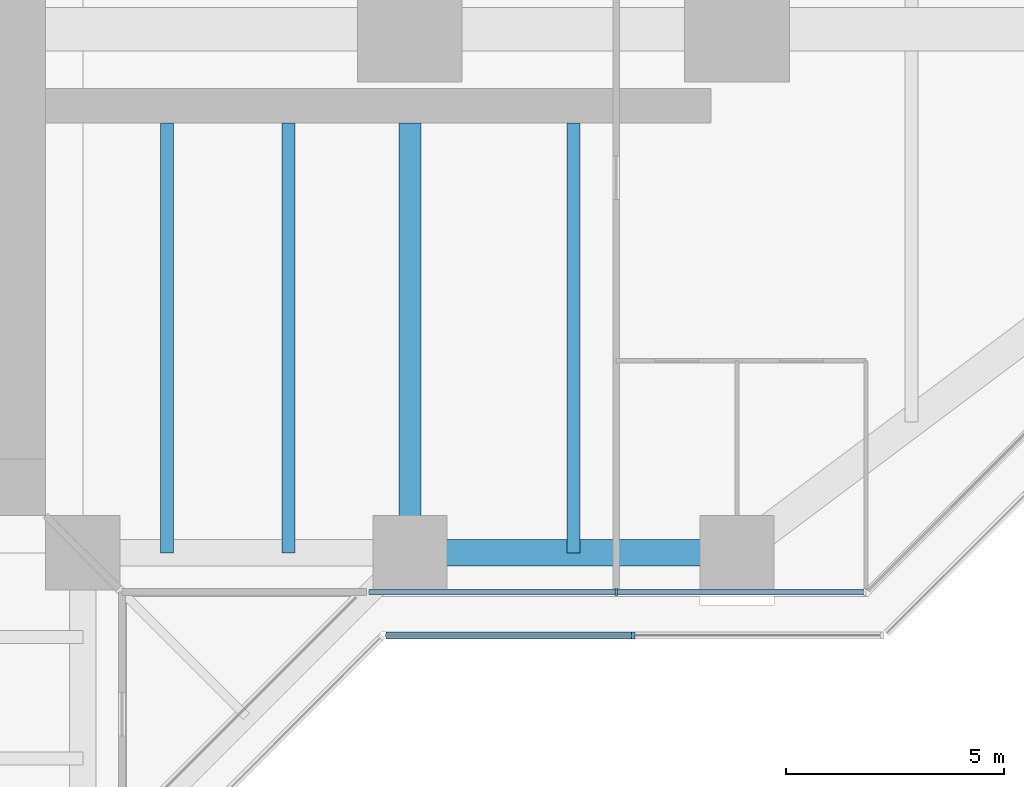
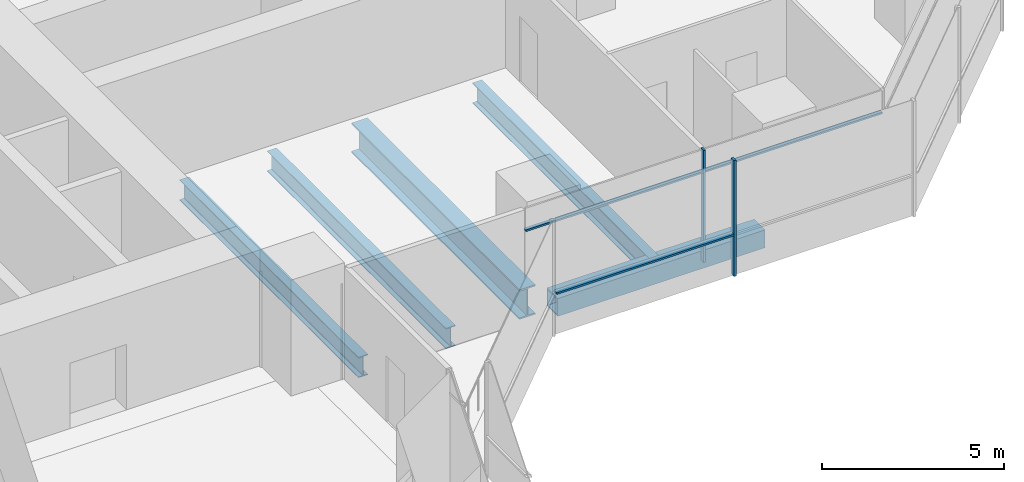
# One storey, part 6 of 21: 5 beams, 5 members, 2 elements without a shape of their own.
"""IFC4 building model written with IfcOpenShell, lengths in metres."""

from ifc_helpers import new_model, si_unit, direction, frame, origin, origin_2d, place, context, subcontext, project, spatial, rectangle, hollow_rectangle, i_section, extrude, material, material_profile, profile_set, type_object, element, aggregate, save


model = new_model("IFC4")

# Units and contexts
model_context = context("Model", 3, precision=1e-05, world=origin(), true_north=direction((0.0, 1.0)))
body_context = subcontext(model_context, "Body", "Model", "MODEL_VIEW")
ifc_project = project(units=[si_unit("LENGTHUNIT", "METRE"), si_unit("AREAUNIT", "SQUARE_METRE"), si_unit("VOLUMEUNIT", "CUBIC_METRE"), si_unit("PLANEANGLEUNIT", "RADIAN"), si_unit("MASSUNIT", "GRAM", prefix="KILO")], contexts=[model_context])

# Site, building, storey
site_placement = place(None, origin())
site = spatial("IfcSite", under=ifc_project, at=site_placement, CompositionType="ELEMENT")
building_placement = place(site_placement, origin())
building = spatial("IfcBuilding", under=site, at=building_placement, Name="Mizan Broadcast Tower", CompositionType="ELEMENT")
storey_placement = place(building_placement, frame((0.0, 0.0, 124.199951171875)))
storey = spatial("IfcBuildingStorey", under=building, at=storey_placement, Name="L27", CompositionType="ELEMENT", Elevation=124.199951171875)

# Beams
ifc_material_1 = material(Name="Steel S355", Category="steel")
ifc_material_profile_1 = material_profile(ifc_material_1, hollow_rectangle(XDim=0.60009765625, YDim=0.60009765625, WallThickness=0.0400390625, at=origin_2d()), Name="BOX 600x600x40")
ifc_profile_set_1 = profile_set([ifc_material_profile_1], Name="Steel S355")
beam_type_1 = type_object("IfcBeamType", Name="EDGE BEAM BOX 600x600x40", PredefinedType="SPANDREL", material=ifc_profile_set_1)
beam_1_placement = place(storey_placement, frame((19.949951171875, -12.0, -0.429931640625), z_axis=(1.0, 0.0, 0.0), x_axis=(0.0, 1.0, 0.0)))
element("IfcBeam", 1, at=beam_1_placement, inside=storey, type_object=beam_type_1, Name="Edge beam BOX 600x600x40 L27 east arm", PredefinedType="SPANDREL", context=body_context, shape_type="SweptSolid", body=[
    extrude(hollow_rectangle(XDim=0.60009765625, YDim=0.60009765625, WallThickness=0.0400390625, at=origin_2d()), origin(), (0.0, 0.0, 1.0), 6.60009765625),
])
ifc_material_2 = material(Name="Steel S460", Category="steel")
ifc_material_profile_2 = material_profile(ifc_material_2, i_section(OverallWidth=0.5, OverallDepth=1.0, WebThickness=0.02490234375, FlangeThickness=0.050048828125, at=origin_2d()), Name="WPG 1000x500")
ifc_profile_set_2 = profile_set([ifc_material_profile_2], Name="Steel S460")
beam_type_2 = type_object("IfcBeamType", Name="GIRDER WPG 1000x500", PredefinedType="BEAM", material=ifc_profile_set_2)
beam_2_placement = place(storey_placement, frame((19.5, -11.408935546875, -0.6298828125), z_axis=(0.0, 1.0, 0.0), x_axis=(-1.0, 0.0, 0.0)))
element("IfcBeam", 2, at=beam_2_placement, inside=storey, type_object=beam_type_2, Name="Girder WPG 1000x500 L27 east arm", PredefinedType="BEAM", context=body_context, shape_type="SweptSolid", body=[
    extrude(i_section(OverallWidth=0.5, OverallDepth=1.0, WebThickness=0.02490234375, FlangeThickness=0.050048828125, at=origin_2d()), origin(), (0.0, 0.0, 1.0), 9.259033203125),
])

# Curtain wall, members
ifc_material_3 = material(Name="Aluminium framed glazing", Category="aluminium")
curtain_wall_type_1 = type_object("IfcCurtainWallType", Name="INNER SKIN MID ZONE", PredefinedType="USERDEFINED", material=ifc_material_3)
curtain_wall_1_placement = place(storey_placement, origin())
curtain_wall_1 = element("IfcCurtainWall", 3, at=curtain_wall_1_placement, inside=storey, type_object=curtain_wall_type_1, Name="Inner skin mid zone L27 E side", ObjectType="INNER SKIN MID ZONE", PredefinedType="USERDEFINED")
ifc_material_4 = material(Name="Aluminium, pale anodised", Category="aluminium")
ifc_material_profile_3 = material_profile(ifc_material_4, rectangle(XDim=0.159912109375, YDim=0.06005859375, at=origin_2d()), Name="MULLION 160x60")
ifc_profile_set_3 = profile_set([ifc_material_profile_3], Name="Aluminium, pale anodised")
member_type_1 = type_object("IfcMemberType", Name="INNER SKIN MULLION 60x160", PredefinedType="MULLION", material=ifc_profile_set_3)
member_1_placement = place(storey_placement, frame((24.229248046875, -12.89990234375, 0.0), z_axis=(0.0, 0.0, 1.0), x_axis=(0.0, 1.0, 0.0)))
member_1 = element("IfcMember", 4, at=member_1_placement, type_object=member_type_1, Name="Inner skin mid zone L27 E side mullion 2", PredefinedType="MULLION", context=body_context, shape_type="SweptSolid", body=[
    extrude(rectangle(XDim=0.159912109375, YDim=0.06005859375, at=origin_2d()), origin(), (0.0, 0.0, 1.0), 3.77001953125),
])
ifc_material_5 = material(Name="Aluminium, pale anodised", Category="aluminium")
ifc_material_profile_4 = material_profile(ifc_material_5, rectangle(XDim=0.1201171875, YDim=0.06005859375, at=origin_2d()), Name="TRANSOM 120x60")
ifc_profile_set_4 = profile_set([ifc_material_profile_4], Name="Aluminium, pale anodised")
member_type_2 = type_object("IfcMemberType", Name="INNER SKIN TRANSOM 60x120", PredefinedType="USERDEFINED", material=ifc_profile_set_4)
member_2_placement = place(storey_placement, frame((18.56005859375, -12.89990234375, 3.030029296875), z_axis=(1.0, 0.0, 0.0), x_axis=(0.0, 1.0, 0.0)))
member_2 = element("IfcMember", 5, at=member_2_placement, type_object=member_type_2, Name="Inner skin mid zone L27 E side transom 1.1", ObjectType="TRANSOM", PredefinedType="USERDEFINED", context=body_context, shape_type="SweptSolid", body=[
    extrude(rectangle(XDim=0.1201171875, YDim=0.06005859375, at=origin_2d()), origin(), (0.0, 0.0, 1.0), 5.63916015625),
])
member_3_placement = place(storey_placement, frame((24.25927734375, -12.89990234375, 3.030029296875), z_axis=(1.0, 0.0, 0.0), x_axis=(0.0, 1.0, 0.0)))
member_3 = element("IfcMember", 6, at=member_3_placement, type_object=member_type_2, Name="Inner skin mid zone L27 E side transom 2.1", ObjectType="TRANSOM", PredefinedType="USERDEFINED", context=body_context, shape_type="SweptSolid", body=[
    extrude(rectangle(XDim=0.1201171875, YDim=0.06005859375, at=origin_2d()), origin(), (0.0, 0.0, 1.0), 5.639404296875),
])
aggregate(curtain_wall_1, [member_1, member_2, member_3])

ifc_material_6 = material(Name="Aluminium framed glazing", Category="aluminium")
curtain_wall_type_2 = type_object("IfcCurtainWallType", Name="OUTER SKIN", PredefinedType="USERDEFINED", material=ifc_material_6)
curtain_wall_2_placement = place(storey_placement, origin())
curtain_wall_2 = element("IfcCurtainWall", 7, at=curtain_wall_2_placement, inside=storey, type_object=curtain_wall_type_2, Name="Outer skin L27 E side", ObjectType="OUTER SKIN", PredefinedType="USERDEFINED")
ifc_material_7 = material(Name="Aluminium, pale anodised", Category="aluminium")
ifc_material_profile_5 = material_profile(ifc_material_7, rectangle(XDim=0.159912109375, YDim=0.080078125, at=origin_2d()), Name="MULLION 160x80")
ifc_profile_set_5 = profile_set([ifc_material_profile_5], Name="Aluminium, pale anodised")
member_type_3 = type_object("IfcMemberType", Name="OUTER SKIN MULLION 80x160", PredefinedType="MULLION", material=ifc_profile_set_5)
member_4_placement = place(storey_placement, frame((24.622802734375, -13.89990234375, 0.0), z_axis=(0.0, 0.0, 1.0), x_axis=(0.0, 1.0, 0.0)))
member_4 = element("IfcMember", 8, at=member_4_placement, type_object=member_type_3, Name="Outer skin L27 E side mullion 2", PredefinedType="MULLION", context=body_context, shape_type="SweptSolid", body=[
    extrude(rectangle(XDim=0.159912109375, YDim=0.080078125, at=origin_2d()), origin(), (0.0, 0.0, 1.0), 3.900146484375),
])
ifc_material_8 = material(Name="Aluminium, pale anodised", Category="aluminium")
ifc_material_profile_6 = material_profile(ifc_material_8, rectangle(XDim=0.159912109375, YDim=0.06005859375, at=origin_2d()), Name="TRANSOM 160x60")
ifc_profile_set_6 = profile_set([ifc_material_profile_6], Name="Aluminium, pale anodised")
member_type_4 = type_object("IfcMemberType", Name="OUTER SKIN TRANSOM 60x160", PredefinedType="USERDEFINED", material=ifc_profile_set_6)
member_5_placement = place(storey_placement, frame((18.952880859375, -13.89990234375, 1.400146484375), z_axis=(1.0, 0.0, 0.0), x_axis=(0.0, 1.0, 0.0)))
member_5 = element("IfcMember", 9, at=member_5_placement, type_object=member_type_4, Name="Outer skin L27 E side transom 1.1", ObjectType="TRANSOM", PredefinedType="USERDEFINED", context=body_context, shape_type="SweptSolid", body=[
    extrude(rectangle(XDim=0.159912109375, YDim=0.06005859375, at=origin_2d()), origin(), (0.0, 0.0, 1.0), 5.6298828125),
])
aggregate(curtain_wall_2, [member_4, member_5])

# Beams
ifc_material_9 = material(Name="Steel S355", Category="steel")
ifc_material_profile_7 = material_profile(ifc_material_9, i_section(OverallWidth=0.300048828125, OverallDepth=0.68994140625, WebThickness=0.014404296875, FlangeThickness=0.027099609375, FilletRadius=0.027099609375, at=origin_2d()), Name="HEA 700")
ifc_profile_set_7 = profile_set([ifc_material_profile_7], Name="Steel S355")
beam_type_3 = type_object("IfcBeamType", Name="SECONDARY BEAM HEA 700", PredefinedType="JOIST", material=ifc_profile_set_7)
for number, where, z_axis, x_axis, name in (
    (10, (13.933349609375, -12.0, -0.474853515625), (0.0, 1.0, 0.0), (-1.0, 0.0, 0.0), "Secondary beam HEA 700 L27 east arm"),
    (11, (16.716552734375, -12.0, -0.474853515625), (0.0, 1.0, 0.0), (-1.0, 0.0, 0.0), "Secondary beam HEA 700 L27 east arm"),
    (12, (23.25, -12.0, -0.474853515625), (0.0, 1.0, 0.0), (-1.0, 0.0, 0.0), "Secondary beam HEA 700 L27 east arm"),
):
    element("IfcBeam", number, at=place(storey_placement, frame(where, z_axis=z_axis, x_axis=x_axis)), inside=storey, type_object=beam_type_3, Name=name, PredefinedType="JOIST", context=body_context, shape_type="SweptSolid", body=[
        extrude(i_section(OverallWidth=0.300048828125, OverallDepth=0.68994140625, WebThickness=0.014404296875, FlangeThickness=0.027099609375, FilletRadius=0.027099609375, at=origin_2d()), origin(), (0.0, 0.0, 1.0), 9.85009765625),
    ])

save(model, "model.ifc")
